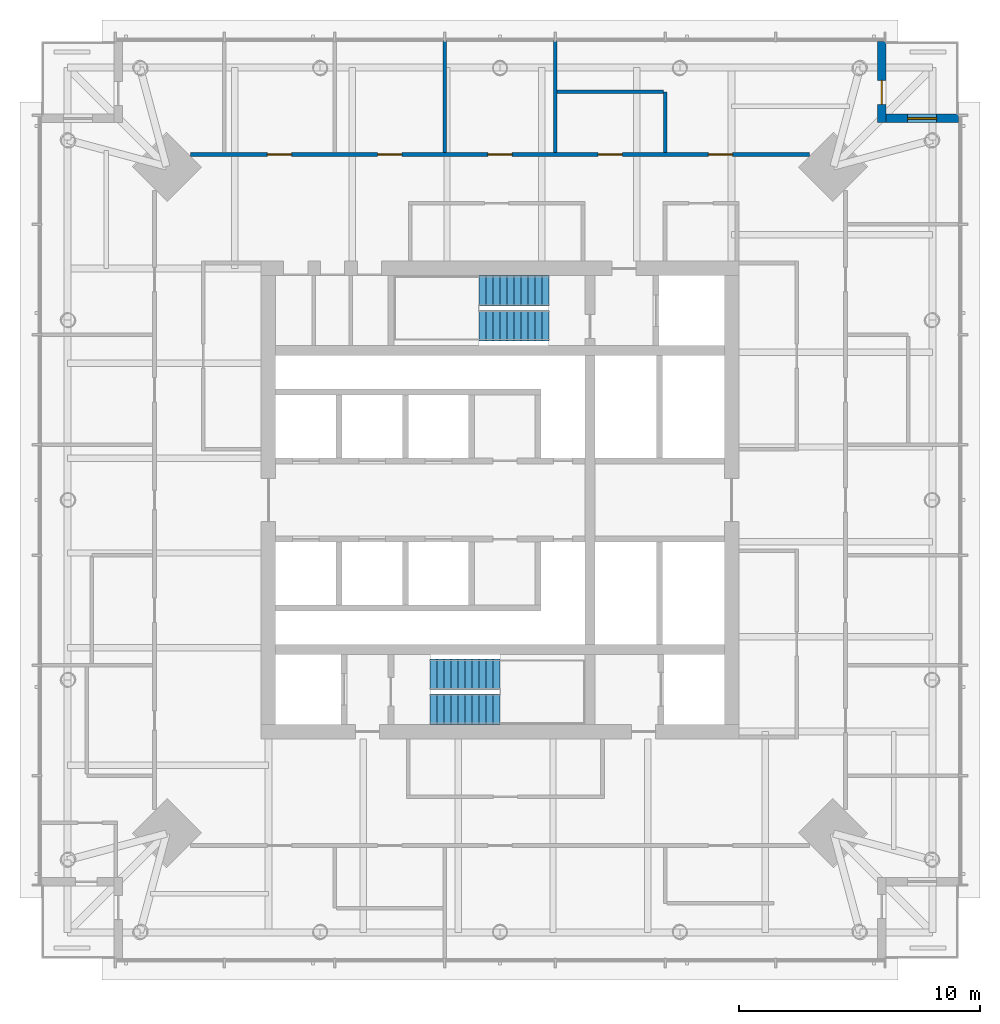
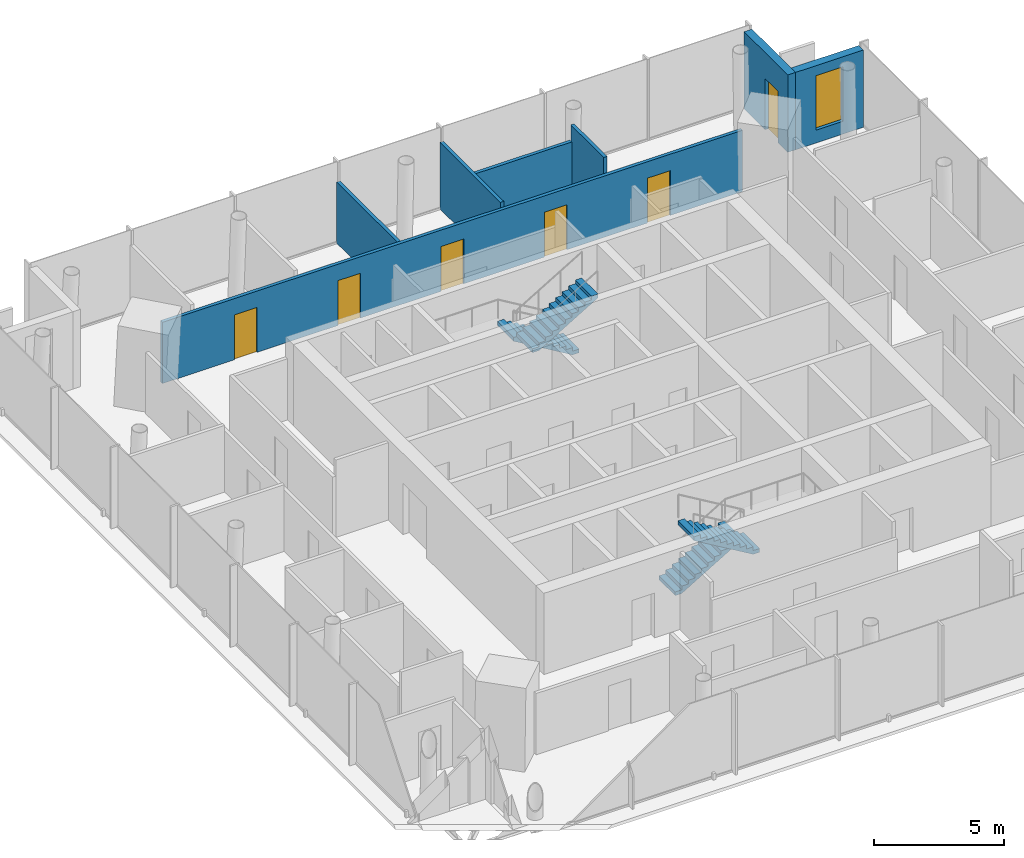
# One storey, part 7 of 11: 7 walls, 6 doors, 4 stair flights, 1 window, 7 openings, 2 elements without a shape of their own.
"""IFC4 building model written with IfcOpenShell, lengths in metres."""

from ifc_helpers import new_model, si_unit, direction, frame, frame_2d, origin, place, context, subcontext, project, spatial, polyline, rectangle, outline, extrude, material, layer, layer_set, type_object, element, fill, aggregate, save


model = new_model("IFC4")

# Units and contexts
model_context = context("Model", 3, precision=1e-05, world=origin(), true_north=direction((0.0, 1.0)))
body_context = subcontext(model_context, "Body", "Model", "MODEL_VIEW")
ifc_project = project(units=[si_unit("LENGTHUNIT", "METRE"), si_unit("AREAUNIT", "SQUARE_METRE"), si_unit("VOLUMEUNIT", "CUBIC_METRE"), si_unit("PLANEANGLEUNIT", "RADIAN"), si_unit("MASSUNIT", "GRAM", prefix="KILO")], contexts=[model_context])

# Site, building, storey
site_placement = place(None, origin())
site = spatial("IfcSite", under=ifc_project, at=site_placement, CompositionType="ELEMENT")
building_placement = place(site_placement, origin())
building = spatial("IfcBuilding", under=site, at=building_placement, Name="Ostroluk Exchange", CompositionType="ELEMENT")
storey_placement = place(building_placement, frame((0.0, 0.0, 211.0)))
storey = spatial("IfcBuildingStorey", under=building, at=storey_placement, Name="L54", CompositionType="ELEMENT", Elevation=211.0)

# Wall, opening, door
ifc_material_1 = material(Name="Limestone", Category="masonry")
ifc_layer_1 = layer(ifc_material_1, 0.35009765625)
ifc_layer_set_1 = layer_set([ifc_layer_1], Name="Limestone facade wall 350")
wall_type_1 = type_object("IfcWallType", Name="Limestone facade wall 350", PredefinedType="SOLIDWALL", material=ifc_layer_set_1)
wall_1_placement = place(storey_placement, frame((60.824951171875, 65.0, 0.0), z_axis=(0.0, 0.0, 1.0), x_axis=(0.0, -1.0, 0.0)))
wall_1 = element("IfcWall", 1, at=wall_1_placement, inside=storey, type_object=wall_type_1, Name="Office tower NE corner wall L54 a", PredefinedType="SOLIDWALL", context=body_context, shape_type="SweptSolid", body=[
    extrude(rectangle(XDim=3.35009765625, YDim=0.35009765625, at=frame_2d((1.675048828125, 0.0))), origin(), (0.0, 0.0, 1.0), 3.6201171875),
])
opening_1_placement = place(wall_1_placement, frame((1.60009765625, 0.0, 0.0)))
opening_1 = element("IfcOpeningElement", 2, at=opening_1_placement, cuts=wall_1, Name="Opening D-B1", PredefinedType="OPENING", context=body_context, shape_type="SweptSolid", body=[
    extrude(rectangle(XDim=1.0, YDim=2.39990234375, at=frame_2d((0.5, 1.199951171875))), frame((0.0, 0.18505859375, 0.0), z_axis=(0.0, -1.0, 0.0), x_axis=(1.0, 0.0, 0.0)), (0.0, 0.0, 1.0), 0.3701171875),
])
ifc_material_2 = material(Name="Bronze framed glazed door", Category="aluminium")
door_type_1 = type_object("IfcDoorType", Name="Balcony door 1000 x 2400", OperationType="SINGLE_SWING_LEFT", PredefinedType="DOOR", material=ifc_material_2)
door_1_placement = place(opening_1_placement, origin())
door_1 = element("IfcDoor", 3, at=door_1_placement, inside=storey, type_object=door_type_1, Name="Office tower NE balcony door L54", OperationType="SINGLE_SWING_RIGHT", OverallHeight=2.39990234375, OverallWidth=1.0, PredefinedType="DOOR", context=body_context, shape_type="SweptSolid", body=[
    extrude(rectangle(XDim=1.0, YDim=2.39990234375, at=frame_2d((0.5, 1.199951171875))), frame((0.0, 0.02490234375, 0.0), z_axis=(0.0, -1.0, 0.0), x_axis=(1.0, 0.0, 0.0)), (0.0, 0.0, 1.0), 0.050048828125),
])
fill(opening_1, door_1)

# Wall, opening, window
wall_2_placement = place(storey_placement, frame((61.0, 61.824951171875, 0.0), z_axis=(0.0, 0.0, 1.0), x_axis=(1.0, 0.0, 0.0)))
wall_2 = element("IfcWall", 4, at=wall_2_placement, inside=storey, type_object=wall_type_1, Name="Office tower NE corner wall L54 b", PredefinedType="SOLIDWALL", context=body_context, shape_type="SweptSolid", body=[
    extrude(rectangle(XDim=3.0, YDim=0.35009765625, at=frame_2d((1.5, 0.0))), origin(), (0.0, 0.0, 1.0), 3.6201171875),
])
opening_2_placement = place(wall_2_placement, frame((0.89990234375, 0.0, 0.60009765625)))
opening_2 = element("IfcOpeningElement", 5, at=opening_2_placement, cuts=wall_2, Name="Opening WN-L1", PredefinedType="OPENING", context=body_context, shape_type="SweptSolid", body=[
    extrude(rectangle(XDim=1.199951171875, YDim=2.550048828125, at=frame_2d((0.60009765625, 1.27490234375))), frame((0.0, 0.18505859375, 0.0), z_axis=(0.0, -1.0, 0.0), x_axis=(1.0, 0.0, 0.0)), (0.0, 0.0, 1.0), 0.3701171875),
])
ifc_material_3 = material(Name="Laminated clear glass", Category="glass")
window_type = type_object("IfcWindowType", Name="Lancet window 1200 x 2550", PartitioningType="SINGLE_PANEL", PredefinedType="WINDOW", material=ifc_material_3)
window_placement = place(opening_2_placement, origin())
window = element("IfcWindow", 6, at=window_placement, inside=storey, type_object=window_type, Name="Office tower NE lancet window L54", OverallHeight=2.550048828125, OverallWidth=1.199951171875, PartitioningType="SINGLE_PANEL", PredefinedType="WINDOW", context=body_context, shape_type="SweptSolid", body=[
    extrude(rectangle(XDim=1.199951171875, YDim=2.550048828125, at=frame_2d((0.60009765625, 1.27490234375))), frame((0.0, 0.030029296875, 0.0), z_axis=(0.0, -1.0, 0.0), x_axis=(1.0, 0.0, 0.0)), (0.0, 0.0, 1.0), 0.06005859375),
])
fill(opening_2, window)

# Wall
ifc_material_4 = material(Name="Gypsum plasterboard partition", Category="gypsum")
ifc_layer_2 = layer(ifc_material_4, 0.14990234375)
ifc_layer_set_2 = layer_set([ifc_layer_2], Name="Plasterboard partition 150")
wall_type_2 = type_object("IfcWallType", Name="Plasterboard partition 150", PredefinedType="PARTITIONING", material=ifc_layer_set_2)
wall_3_placement = place(storey_placement, frame((51.7822265625, 62.925048828125, 0.0), z_axis=(0.0, 0.0, 1.0), x_axis=(-1.0, 0.0, 0.0)))
element("IfcWall", 7, at=wall_3_placement, inside=storey, type_object=wall_type_2, Name="Partition", PredefinedType="PARTITIONING", context=body_context, shape_type="SweptSolid", body=[
    extrude(rectangle(XDim=4.421630859375, YDim=0.14990234375, at=frame_2d((2.2109375, 0.0))), origin(), (0.0, 0.0, 1.0), 2.866943359375),
])

# Wall, openings, doors
wall_4_placement = place(storey_placement, frame((57.835693359375, 60.324951171875, 0.0), z_axis=(0.0, 0.0, 1.0), x_axis=(-1.0, 0.0, 0.0)))
wall_4 = element("IfcWall", 8, at=wall_4_placement, inside=storey, type_object=wall_type_2, Name="Partition", PredefinedType="PARTITIONING", context=body_context, shape_type="SweptSolid", body=[
    extrude(rectangle(XDim=25.67138671875, YDim=0.14990234375, at=frame_2d((12.835693359375, 0.0))), origin(), (0.0, 0.0, 1.0), 2.866943359375),
])
opening_3_placement = place(wall_4_placement, frame((3.19287109375, 0.0, 0.0)))
opening_3 = element("IfcOpeningElement", 9, at=opening_3_placement, cuts=wall_4, Name="Opening D-03", PredefinedType="OPENING", context=body_context, shape_type="SweptSolid", body=[
    extrude(rectangle(XDim=1.0, YDim=2.10009765625, at=frame_2d((0.5, 1.050048828125))), frame((0.0, 0.0849609375, 0.0), z_axis=(0.0, -1.0, 0.0), x_axis=(1.0, 0.0, 0.0)), (0.0, 0.0, 1.0), 0.169921875),
])
opening_4_placement = place(wall_4_placement, frame((7.764404296875, 0.0, 0.0)))
opening_4 = element("IfcOpeningElement", 10, at=opening_4_placement, cuts=wall_4, Name="Opening D-03", PredefinedType="OPENING", context=body_context, shape_type="SweptSolid", body=[
    extrude(rectangle(XDim=1.0, YDim=2.10009765625, at=frame_2d((0.5, 1.050048828125))), frame((0.0, 0.0849609375, 0.0), z_axis=(0.0, -1.0, 0.0), x_axis=(1.0, 0.0, 0.0)), (0.0, 0.0, 1.0), 0.169921875),
])
opening_5_placement = place(wall_4_placement, frame((12.335693359375, 0.0, 0.0)))
opening_5 = element("IfcOpeningElement", 11, at=opening_5_placement, cuts=wall_4, Name="Opening D-03", PredefinedType="OPENING", context=body_context, shape_type="SweptSolid", body=[
    extrude(rectangle(XDim=1.0, YDim=2.10009765625, at=frame_2d((0.5, 1.050048828125))), frame((0.0, 0.0849609375, 0.0), z_axis=(0.0, -1.0, 0.0), x_axis=(1.0, 0.0, 0.0)), (0.0, 0.0, 1.0), 0.169921875),
])
opening_6_placement = place(wall_4_placement, frame((16.9072265625, 0.0, 0.0)))
opening_6 = element("IfcOpeningElement", 12, at=opening_6_placement, cuts=wall_4, Name="Opening D-03", PredefinedType="OPENING", context=body_context, shape_type="SweptSolid", body=[
    extrude(rectangle(XDim=1.0, YDim=2.10009765625, at=frame_2d((0.5, 1.050048828125))), frame((0.0, 0.0849609375, 0.0), z_axis=(0.0, -1.0, 0.0), x_axis=(1.0, 0.0, 0.0)), (0.0, 0.0, 1.0), 0.169921875),
])
opening_7_placement = place(wall_4_placement, frame((21.478759765625, 0.0, 0.0)))
opening_7 = element("IfcOpeningElement", 13, at=opening_7_placement, cuts=wall_4, Name="Opening D-03", PredefinedType="OPENING", context=body_context, shape_type="SweptSolid", body=[
    extrude(rectangle(XDim=1.0, YDim=2.10009765625, at=frame_2d((0.5, 1.050048828125))), frame((0.0, 0.0849609375, 0.0), z_axis=(0.0, -1.0, 0.0), x_axis=(1.0, 0.0, 0.0)), (0.0, 0.0, 1.0), 0.169921875),
])
ifc_material_5 = material(Name="Timber", Category="wood")
door_type_2 = type_object("IfcDoorType", Name="Internal door 1000 x 2100", OperationType="SINGLE_SWING_LEFT", PredefinedType="DOOR", material=ifc_material_5)
door_2_placement = place(opening_3_placement, origin())
door_2 = element("IfcDoor", 14, at=door_2_placement, inside=storey, type_object=door_type_2, Name="Office suite door", OperationType="SINGLE_SWING_LEFT", OverallHeight=2.10009765625, OverallWidth=1.0, PredefinedType="DOOR", context=body_context, shape_type="SweptSolid", body=[
    extrude(rectangle(XDim=1.0, YDim=2.10009765625, at=frame_2d((0.5, 1.050048828125))), frame((0.0, 0.02490234375, 0.0), z_axis=(0.0, -1.0, 0.0), x_axis=(1.0, 0.0, 0.0)), (0.0, 0.0, 1.0), 0.050048828125),
])
fill(opening_3, door_2)
door_3_placement = place(opening_4_placement, origin())
door_3 = element("IfcDoor", 15, at=door_3_placement, inside=storey, type_object=door_type_2, Name="Pantry door", OperationType="SINGLE_SWING_LEFT", OverallHeight=2.10009765625, OverallWidth=1.0, PredefinedType="DOOR", context=body_context, shape_type="SweptSolid", body=[
    extrude(rectangle(XDim=1.0, YDim=2.10009765625, at=frame_2d((0.5, 1.050048828125))), frame((0.0, 0.02490234375, 0.0), z_axis=(0.0, -1.0, 0.0), x_axis=(1.0, 0.0, 0.0)), (0.0, 0.0, 1.0), 0.050048828125),
])
fill(opening_4, door_3)
door_4_placement = place(opening_5_placement, origin())
door_4 = element("IfcDoor", 16, at=door_4_placement, inside=storey, type_object=door_type_2, Name="Office door", OperationType="SINGLE_SWING_LEFT", OverallHeight=2.10009765625, OverallWidth=1.0, PredefinedType="DOOR", context=body_context, shape_type="SweptSolid", body=[
    extrude(rectangle(XDim=1.0, YDim=2.10009765625, at=frame_2d((0.5, 1.050048828125))), frame((0.0, 0.02490234375, 0.0), z_axis=(0.0, -1.0, 0.0), x_axis=(1.0, 0.0, 0.0)), (0.0, 0.0, 1.0), 0.050048828125),
])
fill(opening_5, door_4)
door_5_placement = place(opening_6_placement, origin())
door_5 = element("IfcDoor", 17, at=door_5_placement, inside=storey, type_object=door_type_2, Name="Office door", OperationType="SINGLE_SWING_RIGHT", OverallHeight=2.10009765625, OverallWidth=1.0, PredefinedType="DOOR", context=body_context, shape_type="SweptSolid", body=[
    extrude(rectangle(XDim=1.0, YDim=2.10009765625, at=frame_2d((0.5, 1.050048828125))), frame((0.0, 0.02490234375, 0.0), z_axis=(0.0, -1.0, 0.0), x_axis=(1.0, 0.0, 0.0)), (0.0, 0.0, 1.0), 0.050048828125),
])
fill(opening_6, door_5)
door_6_placement = place(opening_7_placement, origin())
door_6 = element("IfcDoor", 18, at=door_6_placement, inside=storey, type_object=door_type_2, Name="Office door", OperationType="SINGLE_SWING_RIGHT", OverallHeight=2.10009765625, OverallWidth=1.0, PredefinedType="DOOR", context=body_context, shape_type="SweptSolid", body=[
    extrude(rectangle(XDim=1.0, YDim=2.10009765625, at=frame_2d((0.5, 1.050048828125))), frame((0.0, 0.02490234375, 0.0), z_axis=(0.0, -1.0, 0.0), x_axis=(1.0, 0.0, 0.0)), (0.0, 0.0, 1.0), 0.050048828125),
])
fill(opening_7, door_6)

# Walls
wall_5_placement = place(storey_placement, frame((51.857177734375, 60.39990234375, 0.0), z_axis=(0.0, 0.0, 1.0), x_axis=(0.0, 1.0, 0.0)))
element("IfcWall", 19, at=wall_5_placement, inside=storey, type_object=wall_type_2, Name="Partition", PredefinedType="PARTITIONING", context=body_context, shape_type="SweptSolid", body=[
    extrude(rectangle(XDim=2.525146484375, YDim=0.14990234375, at=frame_2d((1.2626953125, 0.0))), origin(), (0.0, 0.0, 1.0), 3.6201171875),
])
wall_6_placement = place(storey_placement, frame((47.28564453125, 60.39990234375, 0.0), z_axis=(0.0, 0.0, 1.0), x_axis=(0.0, 1.0, 0.0)))
element("IfcWall", 20, at=wall_6_placement, inside=storey, type_object=wall_type_2, Name="Partition", PredefinedType="PARTITIONING", context=body_context, shape_type="SweptSolid", body=[
    extrude(rectangle(XDim=4.64013671875, YDim=0.14990234375, at=frame_2d((2.320068359375, 0.0))), origin(), (0.0, 0.0, 1.0), 3.1201171875),
])
wall_7_placement = place(storey_placement, frame((42.71435546875, 60.39990234375, 0.0), z_axis=(0.0, 0.0, 1.0), x_axis=(0.0, 1.0, 0.0)))
element("IfcWall", 21, at=wall_7_placement, inside=storey, type_object=wall_type_2, Name="Partition", PredefinedType="PARTITIONING", context=body_context, shape_type="SweptSolid", body=[
    extrude(rectangle(XDim=4.64013671875, YDim=0.14990234375, at=frame_2d((2.320068359375, 0.0))), origin(), (0.0, 0.0, 1.0), 2.866943359375),
])

# Stair, stair flights
ifc_material_6 = material(Name="Concrete C30/37", Category="concrete")
stair_type = type_object("IfcStairType", Name="Exit stair half turn 3800", PredefinedType="HALF_TURN_STAIR", material=ifc_material_6)
stair_1_placement = place(storey_placement, origin())
stair_1 = element("IfcStair", 22, at=stair_1_placement, inside=storey, type_object=stair_type, Name="Stair T1-S1 L54", PredefinedType="HALF_TURN_STAIR")
ifc_material_7 = material(Name="Concrete C30/37", Category="concrete")
stair_flight_type = type_object("IfcStairFlightType", Name="Stair flight 11 risers 172.7 x 290", PredefinedType="STRAIGHT", material=ifc_material_7)
stair_flight_1_placement = place(storey_placement, frame((42.10009765625, 38.77490234375, 0.0), z_axis=(0.0, 0.0, 1.0), x_axis=(1.0, 0.0, 0.0)))
stair_flight_1 = element("IfcStairFlight", 23, at=stair_flight_1_placement, type_object=stair_flight_type, Name="T1-S1 flight 1", NumberOfRisers=11, NumberOfTreads=10, PredefinedType="STRAIGHT", RiserHeight=0.172727273, TreadLength=0.29, context=body_context, shape_type="SweptSolid", body=[
    extrude(outline(polyline([(0.0, 0.0), (0.0, 0.172607421875), (0.2900390625, 0.172607421875), (0.2900390625, 0.345458984375), (0.580078125, 0.345458984375), (0.580078125, 0.51806640625), (0.8701171875, 0.51806640625), (0.8701171875, 0.69091796875), (1.159912109375, 0.69091796875), (1.159912109375, 0.863525390625), (1.449951171875, 0.863525390625), (1.449951171875, 1.036376953125), (1.739990234375, 1.036376953125), (1.739990234375, 1.208984375), (2.030029296875, 1.208984375), (2.030029296875, 1.3818359375), (2.320068359375, 1.3818359375), (2.320068359375, 1.554443359375), (2.610107421875, 1.554443359375), (2.610107421875, 1.727294921875), (2.89990234375, 1.727294921875), (2.89990234375, 1.89990234375), (2.89990234375, 1.552734375), (0.29296875, 0.0), (0.0, 0.0)])), frame((0.0, 0.625, 0.0), z_axis=(0.0, -1.0, 0.0), x_axis=(1.0, 0.0, 0.0)), (0.0, 0.0, 1.0), 1.25),
])
stair_flight_2_placement = place(storey_placement, frame((45.0, 37.324951171875, 1.89990234375), z_axis=(0.0, 0.0, 1.0), x_axis=(-1.0, 0.0, 0.0)))
stair_flight_2 = element("IfcStairFlight", 24, at=stair_flight_2_placement, type_object=stair_flight_type, Name="T1-S1 flight 2", NumberOfRisers=11, NumberOfTreads=10, PredefinedType="STRAIGHT", RiserHeight=0.172727273, TreadLength=0.29, context=body_context, shape_type="SweptSolid", body=[
    extrude(outline(polyline([(0.0, 0.0), (0.0, 0.172607421875), (0.2900390625, 0.172607421875), (0.2900390625, 0.345458984375), (0.580078125, 0.345458984375), (0.580078125, 0.51806640625), (0.8701171875, 0.51806640625), (0.8701171875, 0.69091796875), (1.159912109375, 0.69091796875), (1.159912109375, 0.863525390625), (1.449951171875, 0.863525390625), (1.449951171875, 1.036376953125), (1.739990234375, 1.036376953125), (1.739990234375, 1.208984375), (2.030029296875, 1.208984375), (2.030029296875, 1.3818359375), (2.320068359375, 1.3818359375), (2.320068359375, 1.554443359375), (2.610107421875, 1.554443359375), (2.610107421875, 1.727294921875), (2.89990234375, 1.727294921875), (2.89990234375, 1.89990234375), (2.89990234375, 1.552734375), (0.29296875, 0.0), (0.0, 0.0)])), frame((0.0, 0.625, 0.0), z_axis=(0.0, -1.0, 0.0), x_axis=(1.0, 0.0, 0.0)), (0.0, 0.0, 1.0), 1.25),
])
aggregate(stair_1, [stair_flight_1, stair_flight_2])

stair_2_placement = place(storey_placement, origin())
stair_2 = element("IfcStair", 25, at=stair_2_placement, inside=storey, type_object=stair_type, Name="Stair T1-S2 L54", PredefinedType="HALF_TURN_STAIR")
stair_flight_3_placement = place(storey_placement, frame((47.030029296875, 54.675048828125, 0.0), z_axis=(0.0, 0.0, 1.0), x_axis=(-1.0, 0.0, 0.0)))
stair_flight_3 = element("IfcStairFlight", 26, at=stair_flight_3_placement, type_object=stair_flight_type, Name="T1-S2 flight 1", NumberOfRisers=11, NumberOfTreads=10, PredefinedType="STRAIGHT", RiserHeight=0.172727273, TreadLength=0.29, context=body_context, shape_type="SweptSolid", body=[
    extrude(outline(polyline([(0.0, 0.0), (0.0, 0.172607421875), (0.2900390625, 0.172607421875), (0.2900390625, 0.345458984375), (0.580078125, 0.345458984375), (0.580078125, 0.51806640625), (0.8701171875, 0.51806640625), (0.8701171875, 0.69091796875), (1.159912109375, 0.69091796875), (1.159912109375, 0.863525390625), (1.449951171875, 0.863525390625), (1.449951171875, 1.036376953125), (1.739990234375, 1.036376953125), (1.739990234375, 1.208984375), (2.030029296875, 1.208984375), (2.030029296875, 1.3818359375), (2.320068359375, 1.3818359375), (2.320068359375, 1.554443359375), (2.610107421875, 1.554443359375), (2.610107421875, 1.727294921875), (2.89990234375, 1.727294921875), (2.89990234375, 1.89990234375), (2.89990234375, 1.552734375), (0.29296875, 0.0), (0.0, 0.0)])), frame((0.0, 0.625, 0.0), z_axis=(0.0, -1.0, 0.0), x_axis=(1.0, 0.0, 0.0)), (0.0, 0.0, 1.0), 1.25),
])
stair_flight_4_placement = place(storey_placement, frame((44.1298828125, 53.22509765625, 1.89990234375), z_axis=(0.0, 0.0, 1.0), x_axis=(1.0, 0.0, 0.0)))
stair_flight_4 = element("IfcStairFlight", 27, at=stair_flight_4_placement, type_object=stair_flight_type, Name="T1-S2 flight 2", NumberOfRisers=11, NumberOfTreads=10, PredefinedType="STRAIGHT", RiserHeight=0.172727273, TreadLength=0.29, context=body_context, shape_type="SweptSolid", body=[
    extrude(outline(polyline([(0.0, 0.0), (0.0, 0.172607421875), (0.2900390625, 0.172607421875), (0.2900390625, 0.345458984375), (0.580078125, 0.345458984375), (0.580078125, 0.51806640625), (0.8701171875, 0.51806640625), (0.8701171875, 0.69091796875), (1.159912109375, 0.69091796875), (1.159912109375, 0.863525390625), (1.449951171875, 0.863525390625), (1.449951171875, 1.036376953125), (1.739990234375, 1.036376953125), (1.739990234375, 1.208984375), (2.030029296875, 1.208984375), (2.030029296875, 1.3818359375), (2.320068359375, 1.3818359375), (2.320068359375, 1.554443359375), (2.610107421875, 1.554443359375), (2.610107421875, 1.727294921875), (2.89990234375, 1.727294921875), (2.89990234375, 1.89990234375), (2.89990234375, 1.552734375), (0.29296875, 0.0), (0.0, 0.0)])), frame((0.0, 0.625, 0.0), z_axis=(0.0, -1.0, 0.0), x_axis=(1.0, 0.0, 0.0)), (0.0, 0.0, 1.0), 1.25),
])
aggregate(stair_2, [stair_flight_3, stair_flight_4])

save(model, "model.ifc")
